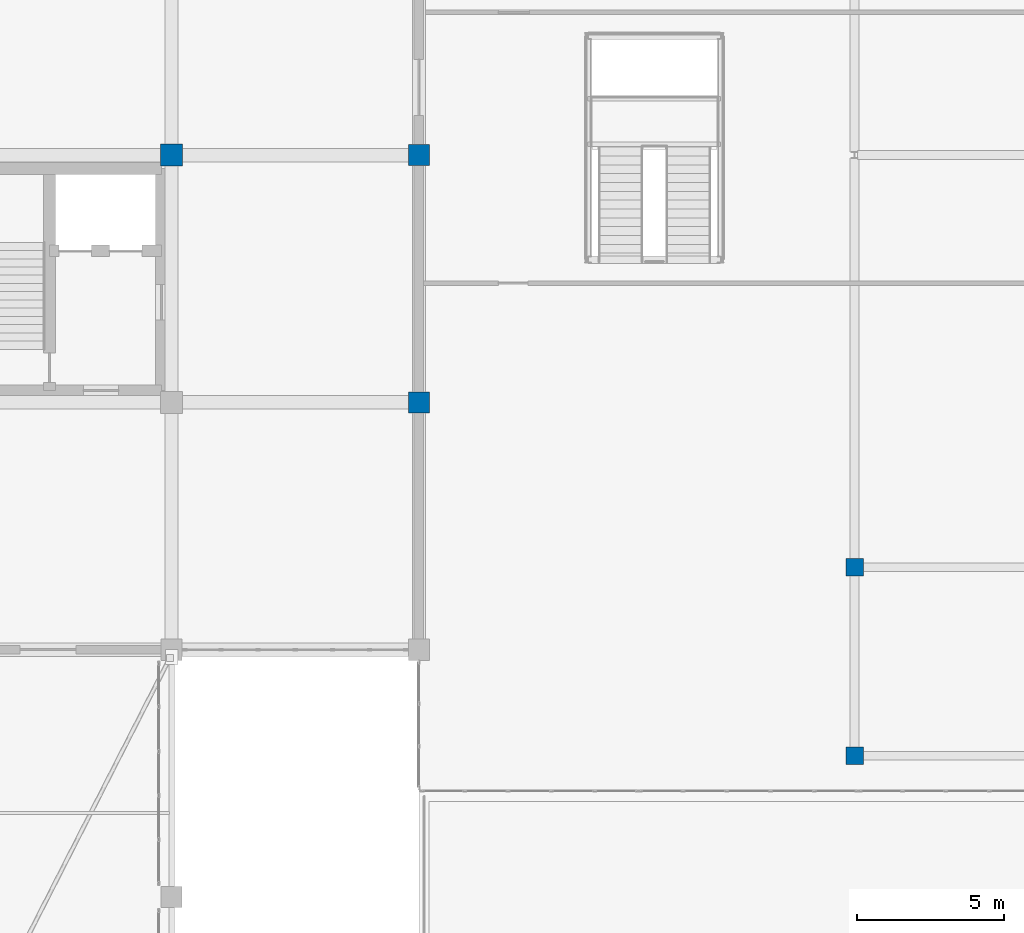
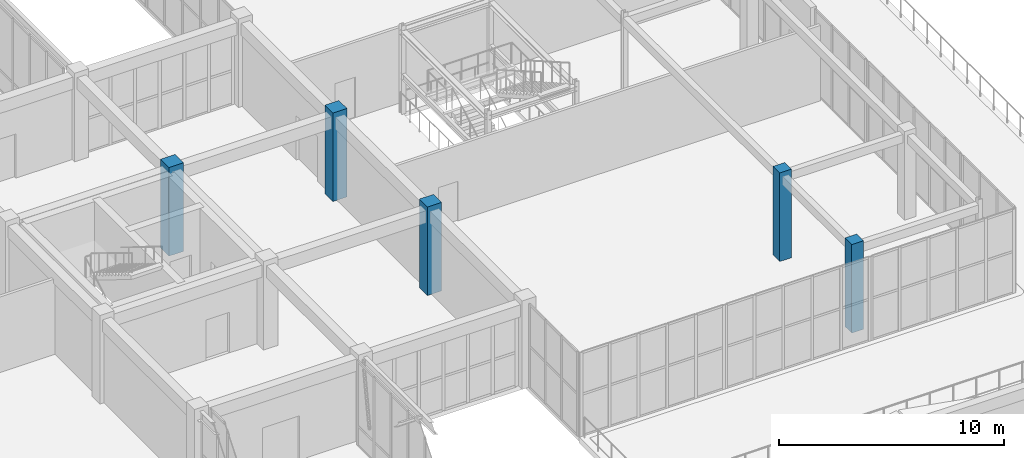
# One storey, part 5 of 158: 5 columns.
"""IFC4 building model written with IfcOpenShell, lengths in metres."""

from ifc_helpers import new_model, si_unit, direction, frame, origin, origin_2d, place, context, subcontext, project, spatial, rectangle, extrude, material, material_profile, profile_set, type_object, element, save


model = new_model("IFC4")

# Units and contexts
model_context = context("Model", 3, precision=1e-05, world=origin(), true_north=direction((0.0, 1.0)))
body_context = subcontext(model_context, "Body", "Model", "MODEL_VIEW")
ifc_project = project(units=[si_unit("LENGTHUNIT", "METRE"), si_unit("AREAUNIT", "SQUARE_METRE"), si_unit("VOLUMEUNIT", "CUBIC_METRE"), si_unit("PLANEANGLEUNIT", "RADIAN"), si_unit("MASSUNIT", "GRAM", prefix="KILO")], contexts=[model_context])

# Site, building, storey
site_placement = place(None, origin())
site = spatial("IfcSite", under=ifc_project, at=site_placement, CompositionType="ELEMENT")
building_placement = place(site_placement, origin())
building = spatial("IfcBuilding", under=site, at=building_placement, Name="Trelvath General Hospital", CompositionType="ELEMENT")
storey_placement = place(building_placement, frame((0.0, 0.0, 8.10009765625)))
storey = spatial("IfcBuildingStorey", under=building, at=storey_placement, Name="L02", CompositionType="ELEMENT", Elevation=8.10009765625)

# Columns
ifc_material_1 = material(Name="Concrete C40/50", Category="concrete")
ifc_material_profile_1 = material_profile(ifc_material_1, rectangle(XDim=0.60009765625, YDim=0.60009765625, at=origin_2d()), Name="RC600x600")
ifc_profile_set_1 = profile_set([ifc_material_profile_1], Name="Concrete C40/50")
column_type_1 = type_object("IfcColumnType", Name="Column RC600", PredefinedType="COLUMN", material=ifc_profile_set_1)
for number, where, z_axis, x_axis, name in (
    (1, (107.199951171875, 38.39990234375, 0.0), (0.0, 0.0, 1.0), (1.0, 0.0, 0.0), "Cube Interior Column CC-E01 L02"),
    (2, (107.199951171875, 44.800048828125, 0.0), (0.0, 0.0, 1.0), (1.0, 0.0, 0.0), "Cube Interior Column CC-E02 L02"),
):
    element("IfcColumn", number, at=place(storey_placement, frame(where, z_axis=z_axis, x_axis=x_axis)), inside=storey, type_object=column_type_1, Name=name, PredefinedType="COLUMN", context=body_context, shape_type="SweptSolid", body=[
        extrude(rectangle(XDim=0.60009765625, YDim=0.60009765625, at=origin_2d()), origin(), (0.0, 0.0, 1.0), 4.7998046875),
    ])
ifc_material_2 = material(Name="Concrete C40/50", Category="concrete")
ifc_material_profile_2 = material_profile(ifc_material_2, rectangle(XDim=0.719970703125, YDim=0.719970703125, at=origin_2d()), Name="RC720x720")
ifc_profile_set_2 = profile_set([ifc_material_profile_2], Name="Concrete C40/50")
column_type_2 = type_object("IfcColumnType", Name="Column RC720", PredefinedType="COLUMN", material=ifc_profile_set_2)
for number, where, z_axis, x_axis, name in (
    (3, (92.39990234375, 50.39990234375, 0.0), (0.0, 0.0, 1.0), (1.0, 0.0, 0.0), "Column C-12G L02"),
    (4, (92.39990234375, 58.800048828125, 0.0), (0.0, 0.0, 1.0), (1.0, 0.0, 0.0), "Column C-12H L02"),
):
    element("IfcColumn", number, at=place(storey_placement, frame(where, z_axis=z_axis, x_axis=x_axis)), inside=storey, type_object=column_type_2, Name=name, PredefinedType="COLUMN", context=body_context, shape_type="SweptSolid", body=[
        extrude(rectangle(XDim=0.719970703125, YDim=0.719970703125, at=origin_2d()), origin(), (0.0, 0.0, 1.0), 4.7998046875),
    ])
ifc_material_3 = material(Name="Concrete C40/50", Category="concrete")
ifc_material_profile_3 = material_profile(ifc_material_3, rectangle(XDim=0.75, YDim=0.75, at=origin_2d()), Name="RC750x750")
ifc_profile_set_3 = profile_set([ifc_material_profile_3], Name="Concrete C40/50")
column_type_3 = type_object("IfcColumnType", Name="Column RC750", PredefinedType="COLUMN", material=ifc_profile_set_3)
column_placement = place(storey_placement, frame((84.0, 58.800048828125, 0.0), z_axis=(0.0, 0.0, 1.0), x_axis=(1.0, 0.0, 0.0)))
element("IfcColumn", 5, at=column_placement, inside=storey, type_object=column_type_3, Name="Column C-11H L02", PredefinedType="COLUMN", context=body_context, shape_type="SweptSolid", body=[
    extrude(rectangle(XDim=0.75, YDim=0.75, at=origin_2d()), origin(), (0.0, 0.0, 1.0), 4.7998046875),
])

save(model, "model.ifc")
